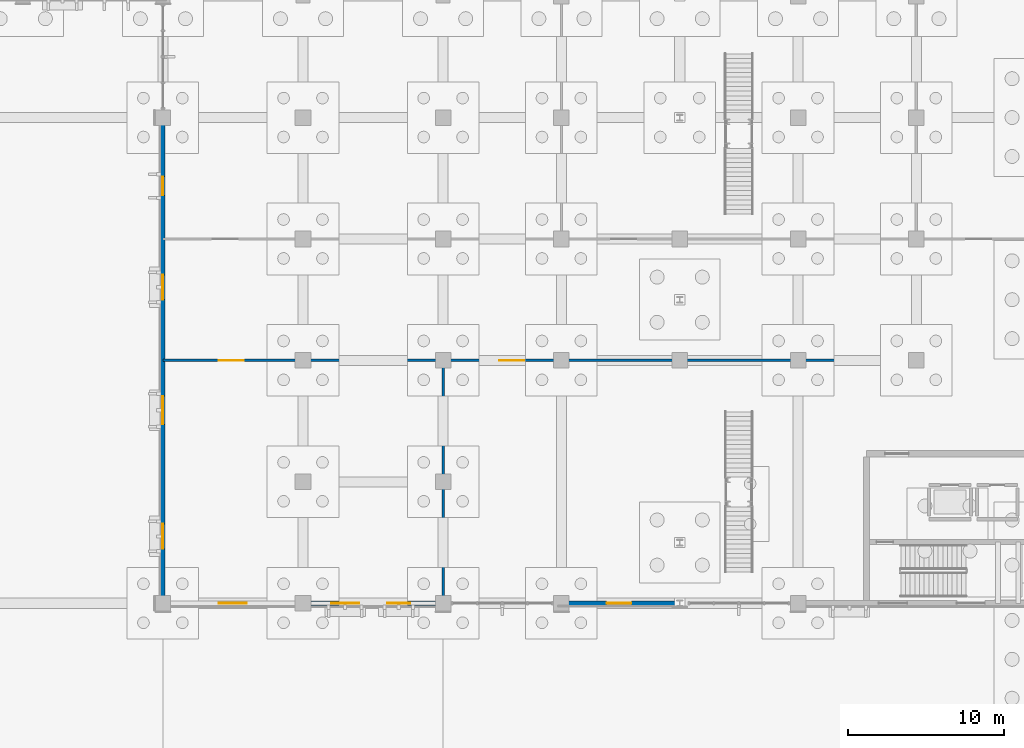
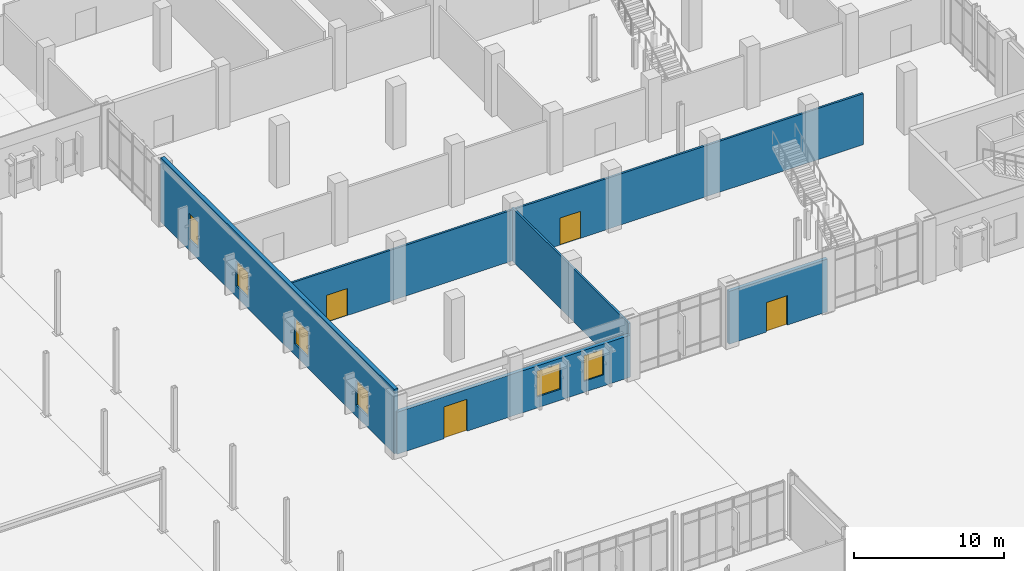
# One storey, part 64 of 94: 6 walls, 6 windows, 4 doors, 10 openings.
"""IFC4 building model written with IfcOpenShell, lengths in metres."""

from ifc_helpers import new_model, si_unit, direction, frame, frame_2d, origin, place, context, subcontext, project, spatial, rectangle, extrude, material, layer, layer_set, type_object, element, fill, save


model = new_model("IFC4")

# Units and contexts
model_context = context("Model", 3, precision=1e-05, world=origin(), true_north=direction((0.0, 1.0)))
body_context = subcontext(model_context, "Body", "Model", "MODEL_VIEW")
ifc_project = project(units=[si_unit("LENGTHUNIT", "METRE"), si_unit("AREAUNIT", "SQUARE_METRE"), si_unit("VOLUMEUNIT", "CUBIC_METRE"), si_unit("PLANEANGLEUNIT", "RADIAN"), si_unit("MASSUNIT", "GRAM", prefix="KILO")], contexts=[model_context])

# Site, building, storey
site_placement = place(None, origin())
site = spatial("IfcSite", under=ifc_project, at=site_placement, CompositionType="ELEMENT")
building_placement = place(site_placement, origin())
building = spatial("IfcBuilding", under=site, at=building_placement, Name="Vervanel Yard Central Library", CompositionType="ELEMENT")
storey_placement = place(building_placement, origin())
storey = spatial("IfcBuildingStorey", under=building, at=storey_placement, Name="L00", CompositionType="ELEMENT", Elevation=0.0)

# Wall, opening, door
ifc_material_1 = material(Name="Fire-rated gypsum board on steel studs", Category="steel")
ifc_layer_1 = layer(ifc_material_1, 0.159912109375, Category="steel")
ifc_layer_set_1 = layer_set([ifc_layer_1], Name="Fire-rated gypsum board on steel studs")
wall_type_1 = type_object("IfcWallType", Name="Acoustic Glazed Partition 160", PredefinedType="PARTITIONING", material=ifc_layer_set_1)
wall_1_placement = place(storey_placement, frame((90.0, 58.800048828125, 0.0), z_axis=(0.0, 0.0, 1.0), x_axis=(1.0, 0.0, 0.0)))
wall_1 = element("IfcWall", 1, at=wall_1_placement, inside=storey, type_object=wall_type_1, Name="L00 Acoustic Glazed Partition 160 IPART-L00-0029", PredefinedType="PARTITIONING", context=body_context, shape_type="SweptSolid", body=[
    extrude(rectangle(XDim=18.0, YDim=0.159912109375, at=frame_2d((9.0, 0.0))), origin(), (0.0, 0.0, 1.0), 4.152587890625),
])
opening_1_placement = place(wall_1_placement, frame((3.60009765625, 0.0, 0.0)))
opening_1 = element("IfcOpeningElement", 2, at=opening_1_placement, cuts=wall_1, Name="Opening DR-04", PredefinedType="OPENING", context=body_context, shape_type="SweptSolid", body=[
    extrude(rectangle(XDim=1.60009765625, YDim=2.199951171875, at=frame_2d((0.800048828125, 1.10009765625))), frame((0.0, 0.08984375, 0.0), z_axis=(0.0, -1.0, 0.0), x_axis=(1.0, 0.0, 0.0)), (0.0, 0.0, 1.0), 0.179931640625),
])
ifc_material_2 = material(Name="Solid white oak acoustic joinery", Category="wood")
door_type_1 = type_object("IfcDoorType", Name="Interior Double Reading Door 1600x2200", OperationType="NOTDEFINED", PredefinedType="DOOR", material=ifc_material_2)
door_1_placement = place(opening_1_placement, origin())
door_1 = element("IfcDoor", 3, at=door_1_placement, inside=storey, type_object=door_type_1, Name="L00 Interior Double Reading Door 1600x2200 IDOOR-L00-0021", OperationType="DOUBLE_DOOR_SINGLE_SWING", OverallHeight=2.199951171875, OverallWidth=1.60009765625, PredefinedType="DOOR", context=body_context, shape_type="SweptSolid", body=[
    extrude(rectangle(XDim=1.60009765625, YDim=2.199951171875, at=frame_2d((0.800048828125, 1.10009765625))), frame((0.0, 0.02490234375, 0.0), z_axis=(0.0, -1.0, 0.0), x_axis=(1.0, 0.0, 0.0)), (0.0, 0.0, 1.0), 0.050048828125),
])
fill(opening_1, door_1)

wall_2_placement = place(storey_placement, frame((108.0, 58.800048828125, 0.0), z_axis=(0.0, 0.0, 1.0), x_axis=(1.0, 0.0, 0.0)))
wall_2 = element("IfcWall", 4, at=wall_2_placement, inside=storey, type_object=wall_type_1, Name="L00 Acoustic Glazed Partition 160 IPART-L00-0030", PredefinedType="PARTITIONING", context=body_context, shape_type="SweptSolid", body=[
    extrude(rectangle(XDim=27.0, YDim=0.159912109375, at=frame_2d((13.5, 0.0))), origin(), (0.0, 0.0, 1.0), 4.162841796875),
])
opening_2_placement = place(wall_2_placement, frame((3.60009765625, 0.0, 0.0)))
opening_2 = element("IfcOpeningElement", 5, at=opening_2_placement, cuts=wall_2, Name="Opening DR-04", PredefinedType="OPENING", context=body_context, shape_type="SweptSolid", body=[
    extrude(rectangle(XDim=1.60009765625, YDim=2.199951171875, at=frame_2d((0.800048828125, 1.10009765625))), frame((0.0, 0.08984375, 0.0), z_axis=(0.0, -1.0, 0.0), x_axis=(1.0, 0.0, 0.0)), (0.0, 0.0, 1.0), 0.179931640625),
])
door_2_placement = place(opening_2_placement, origin())
door_2 = element("IfcDoor", 6, at=door_2_placement, inside=storey, type_object=door_type_1, Name="L00 Interior Double Reading Door 1600x2200 IDOOR-L00-0022", OperationType="DOUBLE_DOOR_SINGLE_SWING", OverallHeight=2.199951171875, OverallWidth=1.60009765625, PredefinedType="DOOR", context=body_context, shape_type="SweptSolid", body=[
    extrude(rectangle(XDim=1.60009765625, YDim=2.199951171875, at=frame_2d((0.800048828125, 1.10009765625))), frame((0.0, 0.02490234375, 0.0), z_axis=(0.0, -1.0, 0.0), x_axis=(1.0, 0.0, 0.0)), (0.0, 0.0, 1.0), 0.050048828125),
])
fill(opening_2, door_2)

# Wall, openings, door, windows
ifc_material_3 = material(Name="Concrete C40/50", Category="concrete")
ifc_layer_2 = layer(ifc_material_3, 0.280029296875, Category="concrete")
ifc_layer_set_2 = layer_set([ifc_layer_2], Name="Concrete C40/50")
wall_type_2 = type_object("IfcWallType", Name="Board-Marked Concrete Spandrel Wall 280", PredefinedType="SOLIDWALL", material=ifc_layer_set_2)
wall_3_placement = place(storey_placement, frame((90.0, 43.199951171875, 0.0), z_axis=(0.0, 0.0, 1.0), x_axis=(1.0, 0.0, 0.0)))
wall_3 = element("IfcWall", 7, at=wall_3_placement, inside=storey, type_object=wall_type_2, Name="L00 Board-Marked Concrete Spandrel Wall 280 EWALL-L00-0158", PredefinedType="SOLIDWALL", context=body_context, shape_type="SweptSolid", body=[
    extrude(rectangle(XDim=18.0, YDim=0.280029296875, at=frame_2d((9.0, 0.0))), origin(), (0.0, 0.0, 1.0), 3.425048828125),
])
opening_3_placement = place(wall_3_placement, frame((3.60009765625, 0.0, 0.0)))
opening_3 = element("IfcOpeningElement", 8, at=opening_3_placement, cuts=wall_3, Name="Opening DR-E01", PredefinedType="OPENING", context=body_context, shape_type="SweptSolid", body=[
    extrude(rectangle(XDim=1.800048828125, YDim=2.60009765625, at=frame_2d((0.89990234375, 1.300048828125))), frame((0.0, 0.14990234375, 0.0), z_axis=(0.0, -1.0, 0.0), x_axis=(1.0, 0.0, 0.0)), (0.0, 0.0, 1.0), 0.300048828125),
])
opening_4_placement = place(wall_3_placement, frame((10.800048828125, 0.0, 0.89990234375)))
opening_4 = element("IfcOpeningElement", 9, at=opening_4_placement, cuts=wall_3, Name="Opening WN-03", PredefinedType="OPENING", context=body_context, shape_type="SweptSolid", body=[
    extrude(rectangle(XDim=1.800048828125, YDim=2.10009765625, at=frame_2d((0.89990234375, 1.050048828125))), frame((0.0, 0.14990234375, 0.0), z_axis=(0.0, -1.0, 0.0), x_axis=(1.0, 0.0, 0.0)), (0.0, 0.0, 1.0), 0.300048828125),
])
opening_5_placement = place(wall_3_placement, frame((14.39990234375, 0.0, 0.89990234375)))
opening_5 = element("IfcOpeningElement", 10, at=opening_5_placement, cuts=wall_3, Name="Opening WN-02", PredefinedType="OPENING", context=body_context, shape_type="SweptSolid", body=[
    extrude(rectangle(XDim=1.5, YDim=2.10009765625, at=frame_2d((0.75, 1.050048828125))), frame((0.0, 0.14990234375, 0.0), z_axis=(0.0, -1.0, 0.0), x_axis=(1.0, 0.0, 0.0)), (0.0, 0.0, 1.0), 0.300048828125),
])
ifc_material_4 = material(Name="Thermally broken anodized aluminium 6063-T6", Category="aluminium")
door_type_2 = type_object("IfcDoorType", Name="Main Civic Entrance Double Door 1800x2600", OperationType="NOTDEFINED", PredefinedType="DOOR", material=ifc_material_4)
door_3_placement = place(opening_3_placement, frame((1.800048828125, 0.0, 0.0), z_axis=(0.0, 0.0, 1.0), x_axis=(-1.0, 0.0, 0.0)))
door_3 = element("IfcDoor", 11, at=door_3_placement, inside=storey, type_object=door_type_2, Name="L00 Main Civic Entrance Double Door 1800x2600 16", OperationType="DOUBLE_DOOR_SINGLE_SWING", OverallHeight=2.60009765625, OverallWidth=1.800048828125, PredefinedType="DOOR", context=body_context, shape_type="SweptSolid", body=[
    extrude(rectangle(XDim=1.800048828125, YDim=2.60009765625, at=frame_2d((0.89990234375, 1.300048828125))), frame((0.0, 0.02490234375, 0.0), z_axis=(0.0, -1.0, 0.0), x_axis=(1.0, 0.0, 0.0)), (0.0, 0.0, 1.0), 0.050048828125),
])
fill(opening_3, door_3)
ifc_material_5 = material(Name="Double low-E laminated solar-control glass", Category="glass")
window_type_1 = type_object("IfcWindowType", Name="Reading Bay Window 1500x2100", PartitioningType="SINGLE_PANEL", PredefinedType="WINDOW", material=ifc_material_5)
window_1_placement = place(opening_5_placement, origin())
window_1 = element("IfcWindow", 12, at=window_1_placement, inside=storey, type_object=window_type_1, Name="L00 Reading Bay Window 1500x2100 210", OverallHeight=2.10009765625, OverallWidth=1.5, PartitioningType="SINGLE_PANEL", PredefinedType="WINDOW", context=body_context, shape_type="SweptSolid", body=[
    extrude(rectangle(XDim=1.5, YDim=2.10009765625, at=frame_2d((0.75, 1.050048828125))), frame((0.0, 0.030029296875, 0.0), z_axis=(0.0, -1.0, 0.0), x_axis=(1.0, 0.0, 0.0)), (0.0, 0.0, 1.0), 0.06005859375),
])
fill(opening_5, window_1)
window_type_2 = type_object("IfcWindowType", Name="Reading Wide Window 1800x2100", PartitioningType="SINGLE_PANEL", PredefinedType="WINDOW", material=ifc_material_5)
window_2_placement = place(opening_4_placement, origin())
window_2 = element("IfcWindow", 13, at=window_2_placement, inside=storey, type_object=window_type_2, Name="L00 Reading Wide Window 1800x2100 209", OverallHeight=2.10009765625, OverallWidth=1.800048828125, PartitioningType="SINGLE_PANEL", PredefinedType="WINDOW", context=body_context, shape_type="SweptSolid", body=[
    extrude(rectangle(XDim=1.800048828125, YDim=2.10009765625, at=frame_2d((0.89990234375, 1.050048828125))), frame((0.0, 0.030029296875, 0.0), z_axis=(0.0, -1.0, 0.0), x_axis=(1.0, 0.0, 0.0)), (0.0, 0.0, 1.0), 0.06005859375),
])
fill(opening_4, window_2)

# Wall, opening, door
wall_4_placement = place(storey_placement, frame((115.60009765625, 43.199951171875, 0.0), z_axis=(0.0, 0.0, 1.0), x_axis=(1.0, 0.0, 0.0)))
wall_4 = element("IfcWall", 14, at=wall_4_placement, inside=storey, type_object=wall_type_2, Name="L00 Board-Marked Concrete Spandrel Wall 280 EWALL-L00-0161", PredefinedType="SOLIDWALL", context=body_context, shape_type="SweptSolid", body=[
    extrude(rectangle(XDim=7.599853515625, YDim=0.280029296875, at=frame_2d((3.7998046875, 0.0))), origin(), (0.0, 0.0, 1.0), 4.3076171875),
])
opening_6_placement = place(wall_4_placement, frame((2.89990234375, 0.0, 0.0)))
opening_6 = element("IfcOpeningElement", 15, at=opening_6_placement, cuts=wall_4, Name="Opening DR-E03", PredefinedType="OPENING", context=body_context, shape_type="SweptSolid", body=[
    extrude(rectangle(XDim=1.60009765625, YDim=2.39990234375, at=frame_2d((0.800048828125, 1.199951171875))), frame((0.0, 0.14990234375, 0.0), z_axis=(0.0, -1.0, 0.0), x_axis=(1.0, 0.0, 0.0)), (0.0, 0.0, 1.0), 0.300048828125),
])
door_type_3 = type_object("IfcDoorType", Name="Courtyard Glazed Double Door 1600x2400", OperationType="NOTDEFINED", PredefinedType="DOOR", material=ifc_material_4)
door_4_placement = place(opening_6_placement, frame((1.60009765625, 0.0, 0.0), z_axis=(0.0, 0.0, 1.0), x_axis=(-1.0, 0.0, 0.0)))
door_4 = element("IfcDoor", 16, at=door_4_placement, inside=storey, type_object=door_type_3, Name="L00 Courtyard Glazed Double Door 1600x2400 17", OperationType="DOUBLE_DOOR_SINGLE_SWING", OverallHeight=2.39990234375, OverallWidth=1.60009765625, PredefinedType="DOOR", context=body_context, shape_type="SweptSolid", body=[
    extrude(rectangle(XDim=1.60009765625, YDim=2.39990234375, at=frame_2d((0.800048828125, 1.199951171875))), frame((0.0, 0.02490234375, 0.0), z_axis=(0.0, -1.0, 0.0), x_axis=(1.0, 0.0, 0.0)), (0.0, 0.0, 1.0), 0.050048828125),
])
fill(opening_6, door_4)

# Wall, openings, windows
ifc_material_6 = material(Name="Precast concrete C45/55", Category="concrete")
ifc_layer_3 = layer(ifc_material_6, 0.300048828125, Category="concrete")
ifc_layer_set_3 = layer_set([ifc_layer_3], Name="Precast concrete C45/55")
wall_type_3 = type_object("IfcWallType", Name="Bush-Hammered Precast Cladding Wall 300", PredefinedType="SOLIDWALL", material=ifc_layer_set_3)
wall_5_placement = place(storey_placement, frame((90.0, 43.199951171875, 0.0), z_axis=(0.0, 0.0, 1.0), x_axis=(0.0, 1.0, 0.0)))
wall_5 = element("IfcWall", 17, at=wall_5_placement, inside=storey, type_object=wall_type_3, Name="L00 Bush-Hammered Precast Cladding Wall 300 EWALL-L00-0157", PredefinedType="SOLIDWALL", context=body_context, shape_type="SweptSolid", body=[
    extrude(rectangle(XDim=31.199951171875, YDim=0.300048828125, at=frame_2d((15.60009765625, 0.0))), origin(), (0.0, 0.0, 1.0), 5.25),
])
opening_7_placement = place(wall_5_placement, frame((3.5, 0.0, 0.89990234375)))
opening_7 = element("IfcOpeningElement", 18, at=opening_7_placement, cuts=wall_5, Name="Opening WN-20", PredefinedType="OPENING", context=body_context, shape_type="SweptSolid", body=[
    extrude(rectangle(XDim=1.60009765625, YDim=2.050048828125, at=frame_2d((0.800048828125, 1.02490234375))), frame((0.0, 0.159912109375, 0.0), z_axis=(0.0, -1.0, 0.0), x_axis=(1.0, 0.0, 0.0)), (0.0, 0.0, 1.0), 0.320068359375),
])
opening_8_placement = place(wall_5_placement, frame((11.5, 0.0, 0.89990234375)))
opening_8 = element("IfcOpeningElement", 19, at=opening_8_placement, cuts=wall_5, Name="Opening WN-03", PredefinedType="OPENING", context=body_context, shape_type="SweptSolid", body=[
    extrude(rectangle(XDim=1.800048828125, YDim=2.10009765625, at=frame_2d((0.89990234375, 1.050048828125))), frame((0.0, 0.159912109375, 0.0), z_axis=(0.0, -1.0, 0.0), x_axis=(1.0, 0.0, 0.0)), (0.0, 0.0, 1.0), 0.320068359375),
])
opening_9_placement = place(wall_5_placement, frame((19.5, 0.0, 0.89990234375)))
opening_9 = element("IfcOpeningElement", 20, at=opening_9_placement, cuts=wall_5, Name="Opening WN-20", PredefinedType="OPENING", context=body_context, shape_type="SweptSolid", body=[
    extrude(rectangle(XDim=1.60009765625, YDim=2.050048828125, at=frame_2d((0.800048828125, 1.02490234375))), frame((0.0, 0.159912109375, 0.0), z_axis=(0.0, -1.0, 0.0), x_axis=(1.0, 0.0, 0.0)), (0.0, 0.0, 1.0), 0.320068359375),
])
opening_10_placement = place(wall_5_placement, frame((26.199951171875, 0.0, 0.89990234375)))
opening_10 = element("IfcOpeningElement", 21, at=opening_10_placement, cuts=wall_5, Name="Opening WN-01", PredefinedType="OPENING", context=body_context, shape_type="SweptSolid", body=[
    extrude(rectangle(XDim=1.199951171875, YDim=2.10009765625, at=frame_2d((0.60009765625, 1.050048828125))), frame((0.0, 0.159912109375, 0.0), z_axis=(0.0, -1.0, 0.0), x_axis=(1.0, 0.0, 0.0)), (0.0, 0.0, 1.0), 0.320068359375),
])
window_type_3 = type_object("IfcWindowType", Name="Reading Courtyard Window 1600x2050", PartitioningType="SINGLE_PANEL", PredefinedType="WINDOW", material=ifc_material_5)
window_3_placement = place(opening_7_placement, origin())
window_3 = element("IfcWindow", 22, at=window_3_placement, inside=storey, type_object=window_type_3, Name="L00 Reading Courtyard Window 1600x2050 205", OverallHeight=2.050048828125, OverallWidth=1.60009765625, PartitioningType="SINGLE_PANEL", PredefinedType="WINDOW", context=body_context, shape_type="SweptSolid", body=[
    extrude(rectangle(XDim=1.60009765625, YDim=2.050048828125, at=frame_2d((0.800048828125, 1.02490234375))), frame((0.0, 0.030029296875, 0.0), z_axis=(0.0, -1.0, 0.0), x_axis=(1.0, 0.0, 0.0)), (0.0, 0.0, 1.0), 0.06005859375),
])
fill(opening_7, window_3)
window_4_placement = place(opening_9_placement, origin())
window_4 = element("IfcWindow", 23, at=window_4_placement, inside=storey, type_object=window_type_3, Name="L00 Reading Courtyard Window 1600x2050 207", OverallHeight=2.050048828125, OverallWidth=1.60009765625, PartitioningType="SINGLE_PANEL", PredefinedType="WINDOW", context=body_context, shape_type="SweptSolid", body=[
    extrude(rectangle(XDim=1.60009765625, YDim=2.050048828125, at=frame_2d((0.800048828125, 1.02490234375))), frame((0.0, 0.030029296875, 0.0), z_axis=(0.0, -1.0, 0.0), x_axis=(1.0, 0.0, 0.0)), (0.0, 0.0, 1.0), 0.06005859375),
])
fill(opening_9, window_4)
window_type_4 = type_object("IfcWindowType", Name="Reading Slot Window 1200x2100", PartitioningType="SINGLE_PANEL", PredefinedType="WINDOW", material=ifc_material_5)
window_5_placement = place(opening_10_placement, origin())
window_5 = element("IfcWindow", 24, at=window_5_placement, inside=storey, type_object=window_type_4, Name="L00 Reading Slot Window 1200x2100 208", OverallHeight=2.10009765625, OverallWidth=1.199951171875, PartitioningType="SINGLE_PANEL", PredefinedType="WINDOW", context=body_context, shape_type="SweptSolid", body=[
    extrude(rectangle(XDim=1.199951171875, YDim=2.10009765625, at=frame_2d((0.60009765625, 1.050048828125))), frame((0.0, 0.030029296875, 0.0), z_axis=(0.0, -1.0, 0.0), x_axis=(1.0, 0.0, 0.0)), (0.0, 0.0, 1.0), 0.06005859375),
])
fill(opening_10, window_5)
window_6_placement = place(opening_8_placement, origin())
window_6 = element("IfcWindow", 25, at=window_6_placement, inside=storey, type_object=window_type_2, Name="L00 Reading Wide Window 1800x2100 206", OverallHeight=2.10009765625, OverallWidth=1.800048828125, PartitioningType="SINGLE_PANEL", PredefinedType="WINDOW", context=body_context, shape_type="SweptSolid", body=[
    extrude(rectangle(XDim=1.800048828125, YDim=2.10009765625, at=frame_2d((0.89990234375, 1.050048828125))), frame((0.0, 0.030029296875, 0.0), z_axis=(0.0, -1.0, 0.0), x_axis=(1.0, 0.0, 0.0)), (0.0, 0.0, 1.0), 0.06005859375),
])
fill(opening_8, window_6)

# Wall
ifc_layer_4 = layer(ifc_material_1, 0.14990234375, Category="steel")
ifc_layer_set_4 = layer_set([ifc_layer_4], Name="Fire-rated gypsum board on steel studs")
wall_type_4 = type_object("IfcWallType", Name="Interior Partition 150", PredefinedType="PARTITIONING", material=ifc_layer_set_4)
wall_6_placement = place(storey_placement, frame((108.0, 43.199951171875, 0.0), z_axis=(0.0, 0.0, 1.0), x_axis=(0.0, 1.0, 0.0)))
element("IfcWall", 26, at=wall_6_placement, inside=storey, type_object=wall_type_4, Name="L00 Interior Partition 150 IPART-L00-0031", PredefinedType="PARTITIONING", context=body_context, shape_type="SweptSolid", body=[
    extrude(rectangle(XDim=15.60009765625, YDim=0.14990234375, at=frame_2d((7.800048828125, 0.0))), origin(), (0.0, 0.0, 1.0), 4.3076171875),
])

save(model, "model.ifc")
